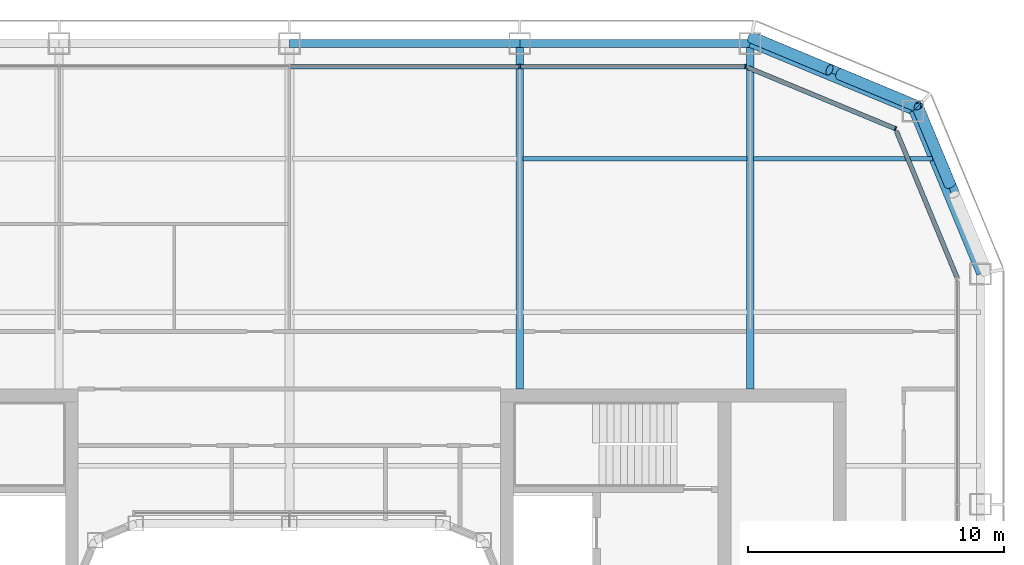
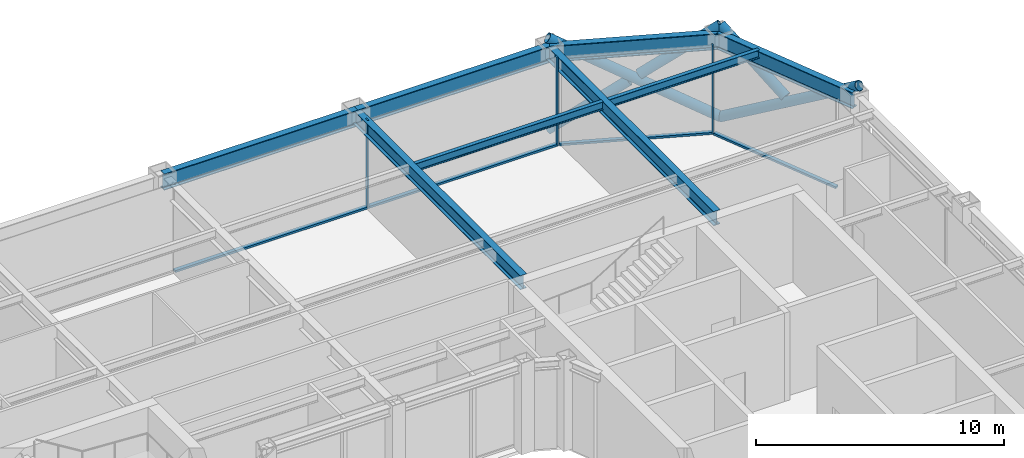
# One storey, part 10 of 19: 12 members, 8 beams, 3 elements without a shape of their own.
"""IFC4 building model written with IfcOpenShell, lengths in metres."""

from ifc_helpers import new_model, si_unit, direction, frame, origin, origin_2d, place, context, subcontext, project, spatial, rectangle, hollow_circle, i_section, extrude, material, layer, layer_set, material_profile, profile_set, type_object, element, aggregate, save


model = new_model("IFC4")

# Units and contexts
model_context = context("Model", 3, precision=1e-05, world=origin(), true_north=direction((0.0, 1.0)))
body_context = subcontext(model_context, "Body", "Model", "MODEL_VIEW")
ifc_project = project(units=[si_unit("LENGTHUNIT", "METRE"), si_unit("AREAUNIT", "SQUARE_METRE"), si_unit("VOLUMEUNIT", "CUBIC_METRE"), si_unit("PLANEANGLEUNIT", "RADIAN"), si_unit("MASSUNIT", "GRAM", prefix="KILO")], contexts=[model_context])

# Site, building, storey
site_placement = place(None, origin())
site = spatial("IfcSite", under=ifc_project, at=site_placement, CompositionType="ELEMENT")
building_placement = place(site_placement, origin())
building = spatial("IfcBuilding", under=site, at=building_placement, Name="Siwar Civic Tower", CompositionType="ELEMENT")
storey_placement = place(building_placement, frame((0.0, 0.0, 228.699951171875)))
storey = spatial("IfcBuildingStorey", under=building, at=storey_placement, Name="L49", CompositionType="ELEMENT", Elevation=228.699951171875)

# Curtain wall, member
ifc_material_1 = material(Name="Aluminium clad insulated panel", Category="aluminium")
ifc_layer_1 = layer(ifc_material_1, 0.179931640625)
ifc_layer_set_1 = layer_set([ifc_layer_1], Name="Aluminium clad insulated panel")
curtain_wall_type_1 = type_object("IfcCurtainWallType", Name="ENV-CW-CX", PredefinedType="NOTDEFINED", material=ifc_layer_set_1)
curtain_wall_1_placement = place(storey_placement, origin())
curtain_wall_1 = element("IfcCurtainWall", 1, at=curtain_wall_1_placement, inside=storey, type_object=curtain_wall_type_1, Name="Curtain wall C NE2", PredefinedType="NOTDEFINED")
ifc_material_2 = material(Name="Aluminium 6063-T6", Category="aluminium")
ifc_material_profile_1 = material_profile(ifc_material_2, rectangle(XDim=0.179931640625, YDim=0.06005859375, at=origin_2d()), Name="AL 180x60")
ifc_profile_set_1 = profile_set([ifc_material_profile_1], Name="Aluminium 6063-T6")
member_type_1 = type_object("IfcMemberType", Name="ENV-MULLION-C", PredefinedType="MULLION", material=ifc_profile_set_1)
member_1_placement = place(storey_placement, frame((23.675048828125, 23.675048828125, 0.0), z_axis=(0.0, 0.0, 1.0), x_axis=(-0.382683432365, -0.923879532511, 0.0)))
member_1 = element("IfcMember", 2, at=member_1_placement, type_object=member_type_1, Name="Mullion C NE2 1", PredefinedType="MULLION", context=body_context, shape_type="SweptSolid", body=[
    extrude(rectangle(XDim=0.179931640625, YDim=0.06005859375, at=origin_2d()), origin(), (0.0, 0.0, 1.0), 4.35009765625),
])

# Curtain wall, members
ifc_material_3 = material(Name="Aluminium and glass", Category="aluminium")
ifc_layer_2 = layer(ifc_material_3, 0.179931640625)
ifc_layer_set_2 = layer_set([ifc_layer_2], Name="Aluminium and glass")
curtain_wall_type_2 = type_object("IfcCurtainWallType", Name="ENV-CW-C", PredefinedType="NOTDEFINED", material=ifc_layer_set_2)
curtain_wall_2_placement = place(storey_placement, origin())
curtain_wall_2 = element("IfcCurtainWall", 3, at=curtain_wall_2_placement, inside=storey, type_object=curtain_wall_type_2, Name="Curtain wall C N", PredefinedType="NOTDEFINED")
member_2_placement = place(storey_placement, frame((17.821044921875, 26.10009765625, 0.0), z_axis=(0.0, 0.0, 1.0), x_axis=(0.0, -1.0, 0.0)))
member_2 = element("IfcMember", 4, at=member_2_placement, type_object=member_type_1, Name="Mullion C N 1", PredefinedType="MULLION", context=body_context, shape_type="SweptSolid", body=[
    extrude(rectangle(XDim=0.179931640625, YDim=0.06005859375, at=origin_2d()), origin(), (0.0, 0.0, 1.0), 4.35009765625),
])
member_3_placement = place(storey_placement, frame((9.0, 26.10009765625, 0.0), z_axis=(0.0, 0.0, 1.0), x_axis=(0.0, -1.0, 0.0)))
member_3 = element("IfcMember", 5, at=member_3_placement, type_object=member_type_1, Name="Mullion C N 2", PredefinedType="MULLION", context=body_context, shape_type="SweptSolid", body=[
    extrude(rectangle(XDim=0.179931640625, YDim=0.06005859375, at=origin_2d()), origin(), (0.0, 0.0, 1.0), 4.35009765625),
])

# Curtain wall, member
curtain_wall_3_placement = place(storey_placement, origin())
curtain_wall_3 = element("IfcCurtainWall", 6, at=curtain_wall_3_placement, inside=storey, type_object=curtain_wall_type_1, Name="Curtain wall C NE1", PredefinedType="NOTDEFINED")
ifc_material_4 = material(Name="Aluminium 6063-T6", Category="aluminium")
ifc_material_profile_2 = material_profile(ifc_material_4, rectangle(XDim=0.179931640625, YDim=0.10009765625, at=origin_2d()), Name="AL 180x100")
ifc_profile_set_2 = profile_set([ifc_material_profile_2], Name="Aluminium 6063-T6")
member_type_2 = type_object("IfcMemberType", Name="ENV-TRANSOM-C", PredefinedType="USERDEFINED", material=ifc_profile_set_2)
member_4_placement = place(storey_placement, frame((26.088623046875, 17.8486328125, 0.050048828125), z_axis=(-0.38267744817, 0.923882011223, 0.0), x_axis=(-0.923882011223, -0.38267744817, 0.0)))
member_4 = element("IfcMember", 7, at=member_4_placement, type_object=member_type_2, Name="Transom C NE1 1", ObjectType="TRANSOM", PredefinedType="USERDEFINED", context=body_context, shape_type="SweptSolid", body=[
    extrude(rectangle(XDim=0.179931640625, YDim=0.10009765625, at=origin_2d()), origin(), (0.0, 0.0, 1.0), 6.201904296875),
])
aggregate(curtain_wall_3, [member_4])

# Member
member_5_placement = place(storey_placement, frame((23.6474609375, 23.6865234375, 0.050048828125), z_axis=(-0.923876246063, 0.382691366456, 0.0), x_axis=(-0.382691366456, -0.923876246063, 0.0)))
member_5 = element("IfcMember", 8, at=member_5_placement, type_object=member_type_2, Name="Transom C NE2 1", ObjectType="TRANSOM", PredefinedType="USERDEFINED", context=body_context, shape_type="SweptSolid", body=[
    extrude(rectangle(XDim=0.179931640625, YDim=0.10009765625, at=origin_2d()), origin(), (0.0, 0.0, 1.0), 6.20166015625),
])

aggregate(curtain_wall_1, [member_1, member_5])

member_6_placement = place(storey_placement, frame((17.791015625, 26.10009765625, 0.050048828125), z_axis=(-1.0, 0.0, 0.0), x_axis=(0.0, -1.0, 0.0)))
member_6 = element("IfcMember", 9, at=member_6_placement, type_object=member_type_2, Name="Transom C N 1", ObjectType="TRANSOM", PredefinedType="USERDEFINED", context=body_context, shape_type="SweptSolid", body=[
    extrude(rectangle(XDim=0.179931640625, YDim=0.10009765625, at=origin_2d()), origin(), (0.0, 0.0, 1.0), 8.760986328125),
])

member_7_placement = place(storey_placement, frame((8.969970703125, 26.10009765625, 0.050048828125), z_axis=(-1.0, 0.0, 0.0), x_axis=(0.0, -1.0, 0.0)))
member_7 = element("IfcMember", 10, at=member_7_placement, type_object=member_type_2, Name="Transom C N 2", ObjectType="TRANSOM", PredefinedType="USERDEFINED", context=body_context, shape_type="SweptSolid", body=[
    extrude(rectangle(XDim=0.179931640625, YDim=0.10009765625, at=origin_2d()), origin(), (0.0, 0.0, 1.0), 8.93994140625),
])

aggregate(curtain_wall_2, [member_2, member_3, member_6, member_7])

# Members
ifc_material_5 = material(Name="Steel S355", Category="steel")
ifc_material_profile_3 = material_profile(ifc_material_5, hollow_circle(Radius=0.228515625, WallThickness=0.02001953125, at=origin_2d()), Name="CHS457x20")
ifc_profile_set_3 = profile_set([ifc_material_profile_3], Name="Steel S355")
member_type_3 = type_object("IfcMemberType", Name="STR-BR-CHS457x20", PredefinedType="BRACE", material=ifc_profile_set_3)
member_8_placement = place(storey_placement, frame((24.540771484375, 24.540771484375, 0.0), z_axis=(-0.777554562952, 0.323905527954, 0.538975055633), x_axis=(-0.384538969033, -0.923108759191, 0.0)))
element("IfcMember", 11, at=member_8_placement, inside=storey, type_object=member_type_3, Name="L49/brc/CNE1-9-0-1", PredefinedType="BRACE", context=body_context, shape_type="SweptSolid", body=[
    extrude(hollow_circle(Radius=0.228515625, WallThickness=0.02001953125, at=origin_2d()), origin(), (0.0, 0.0, 1.0), 8.34912109375),
])
for number, where, z_axis, x_axis, name in (
    (12, (18.048828125, 27.2451171875, 0.0), (0.777546448489, -0.323884455881, 0.538999424564), (0.38452107079, 0.92311621485, 0.0), "L49/brc/CNE1-9-0-2"),
    (13, (21.486572265625, 25.81298828125, 2.383056640625), (0.777572496853, -0.323895306243, 0.538955325357), (0.38452107079, 0.92311621485, 0.0), "L49/brc/CNE1-9-0-3"),
):
    element("IfcMember", number, at=place(storey_placement, frame(where, z_axis=z_axis, x_axis=x_axis)), inside=storey, type_object=member_type_3, Name=name, PredefinedType="BRACE", context=body_context, shape_type="SweptSolid", body=[
        extrude(hollow_circle(Radius=0.228515625, WallThickness=0.02001953125, at=origin_2d()), origin(), (0.0, 0.0, 1.0), 3.927978515625),
    ])
member_9_placement = place(storey_placement, frame((24.540771484375, 24.540771484375, 0.0), z_axis=(0.323905527954, -0.777554562952, 0.538975055633), x_axis=(0.923108759191, 0.384538969033, 0.0)))
element("IfcMember", 14, at=member_9_placement, inside=storey, type_object=member_type_3, Name="L49/brc/CNE1-9-0-0", PredefinedType="BRACE", context=body_context, shape_type="SweptSolid", body=[
    extrude(hollow_circle(Radius=0.228515625, WallThickness=0.02001953125, at=origin_2d()), origin(), (0.0, 0.0, 1.0), 8.34912109375),
])
member_10_placement = place(storey_placement, frame((25.81298828125, 21.486572265625, 2.383056640625), z_axis=(-0.323895306243, 0.777572496853, 0.538955325357), x_axis=(-0.92311621485, -0.38452107079, 0.0)))
element("IfcMember", 15, at=member_10_placement, inside=storey, type_object=member_type_3, Name="L49/brc/CNE1-9-0-5", PredefinedType="BRACE", context=body_context, shape_type="SweptSolid", body=[
    extrude(hollow_circle(Radius=0.228515625, WallThickness=0.02001953125, at=origin_2d()), origin(), (0.0, 0.0, 1.0), 3.927978515625),
])

# Beams
ifc_material_6 = material(Name="Steel S355", Category="steel")
ifc_material_profile_4 = material_profile(ifc_material_6, i_section(OverallWidth=0.179931640625, OverallDepth=0.39990234375, WebThickness=0.008544921875, FlangeThickness=0.013427734375, FilletRadius=0.02099609375, at=origin_2d()), Name="IPE400")
ifc_profile_set_4 = profile_set([ifc_material_profile_4], Name="Steel S355")
beam_type_1 = type_object("IfcBeamType", Name="STR-FB-IPE400", PredefinedType="JOIST", material=ifc_profile_set_4)
beam_1_placement = place(storey_placement, frame((9.1298828125, 22.5, 4.150146484375), z_axis=(1.0, 0.0, 0.0), x_axis=(0.0, 1.0, 0.0)))
element("IfcBeam", 16, at=beam_1_placement, inside=storey, type_object=beam_type_1, Name="L49/bm/F041", PredefinedType="JOIST", context=body_context, shape_type="SweptSolid", body=[
    extrude(i_section(OverallWidth=0.179931640625, OverallDepth=0.39990234375, WebThickness=0.008544921875, FlangeThickness=0.013427734375, FilletRadius=0.02099609375, at=origin_2d()), origin(), (0.0, 0.0, 1.0), 8.740234375),
])
beam_2_placement = place(storey_placement, frame((18.1298828125, 22.5, 4.150146484375), z_axis=(1.0, 0.0, 0.0), x_axis=(0.0, 1.0, 0.0)))
element("IfcBeam", 17, at=beam_2_placement, inside=storey, type_object=beam_type_1, Name="L49/bm/F042", PredefinedType="JOIST", context=body_context, shape_type="SweptSolid", body=[
    extrude(i_section(OverallWidth=0.179931640625, OverallDepth=0.39990234375, WebThickness=0.008544921875, FlangeThickness=0.013427734375, FilletRadius=0.02099609375, at=origin_2d()), origin(), (0.0, 0.0, 1.0), 7.006103515625),
])
ifc_material_7 = material(Name="Steel S355", Category="steel")
ifc_material_profile_5 = material_profile(ifc_material_7, i_section(OverallWidth=0.300048828125, OverallDepth=0.699951171875, WebThickness=0.01708984375, FlangeThickness=0.031982421875, FilletRadius=0.027099609375, at=origin_2d()), Name="HEB700")
ifc_profile_set_5 = profile_set([ifc_material_profile_5], Name="Steel S355")
beam_type_2 = type_object("IfcBeamType", Name="STR-PG-HEB700", PredefinedType="BEAM", material=ifc_profile_set_5)
for number, where, z_axis, x_axis, name in (
    (18, (9.0, 13.5, 4.0), (0.0, 1.0, 0.0), (-1.0, 0.0, 0.0), "L49/bm/G08"),
    (19, (18.0, 13.5, 4.0), (0.0, 1.0, 0.0), (-1.0, 0.0, 0.0), "L49/bm/G10"),
):
    element("IfcBeam", number, at=place(storey_placement, frame(where, z_axis=z_axis, x_axis=x_axis)), inside=storey, type_object=beam_type_2, Name=name, PredefinedType="BEAM", context=body_context, shape_type="SweptSolid", body=[
        extrude(i_section(OverallWidth=0.300048828125, OverallDepth=0.699951171875, WebThickness=0.01708984375, FlangeThickness=0.031982421875, FilletRadius=0.027099609375, at=origin_2d()), origin(), (0.0, 0.0, 1.0), 13.5),
    ])
ifc_material_8 = material(Name="Steel S355", Category="steel")
ifc_material_profile_6 = material_profile(ifc_material_8, i_section(OverallWidth=0.300048828125, OverallDepth=0.800048828125, WebThickness=0.017578125, FlangeThickness=0.032958984375, FilletRadius=0.030029296875, at=origin_2d()), Name="HEB800")
ifc_profile_set_6 = profile_set([ifc_material_profile_6], Name="Steel S355")
beam_type_3 = type_object("IfcBeamType", Name="STR-SB-HEB800", PredefinedType="BEAM", material=ifc_profile_set_6)
for number, where, z_axis, x_axis, name in (
    (20, (27.0, 18.0, 3.949951171875), (-0.382674207535, 0.923883353507, 0.0), (-0.923883353507, -0.382674207535, 0.0), "L49/bm/SNE1-0"),
    (21, (24.364013671875, 24.364013671875, 3.949951171875), (-0.923883353507, 0.382674207535, 0.0), (-0.382674207535, -0.923883353507, 0.0), "L49/bm/SNE2-0"),
):
    element("IfcBeam", number, at=place(storey_placement, frame(where, z_axis=z_axis, x_axis=x_axis)), inside=storey, type_object=beam_type_3, Name=name, PredefinedType="BEAM", context=body_context, shape_type="SweptSolid", body=[
        extrude(i_section(OverallWidth=0.300048828125, OverallDepth=0.800048828125, WebThickness=0.017578125, FlangeThickness=0.032958984375, FilletRadius=0.030029296875, at=origin_2d()), origin(), (0.0, 0.0, 1.0), 6.888427734375),
    ])
for number, where, z_axis, x_axis, name in (
    (22, (18.0, 27.0, 3.949951171875), (-1.0, 0.0, 0.0), (0.0, -1.0, 0.0), "L49/bm/SN-0"),
    (23, (9.0, 27.0, 3.949951171875), (-1.0, 0.0, 0.0), (0.0, -1.0, 0.0), "L49/bm/SN-1"),
):
    element("IfcBeam", number, at=place(storey_placement, frame(where, z_axis=z_axis, x_axis=x_axis)), inside=storey, type_object=beam_type_3, Name=name, PredefinedType="BEAM", context=body_context, shape_type="SweptSolid", body=[
        extrude(i_section(OverallWidth=0.300048828125, OverallDepth=0.800048828125, WebThickness=0.017578125, FlangeThickness=0.032958984375, FilletRadius=0.030029296875, at=origin_2d()), origin(), (0.0, 0.0, 1.0), 9.0),
    ])

save(model, "model.ifc")
